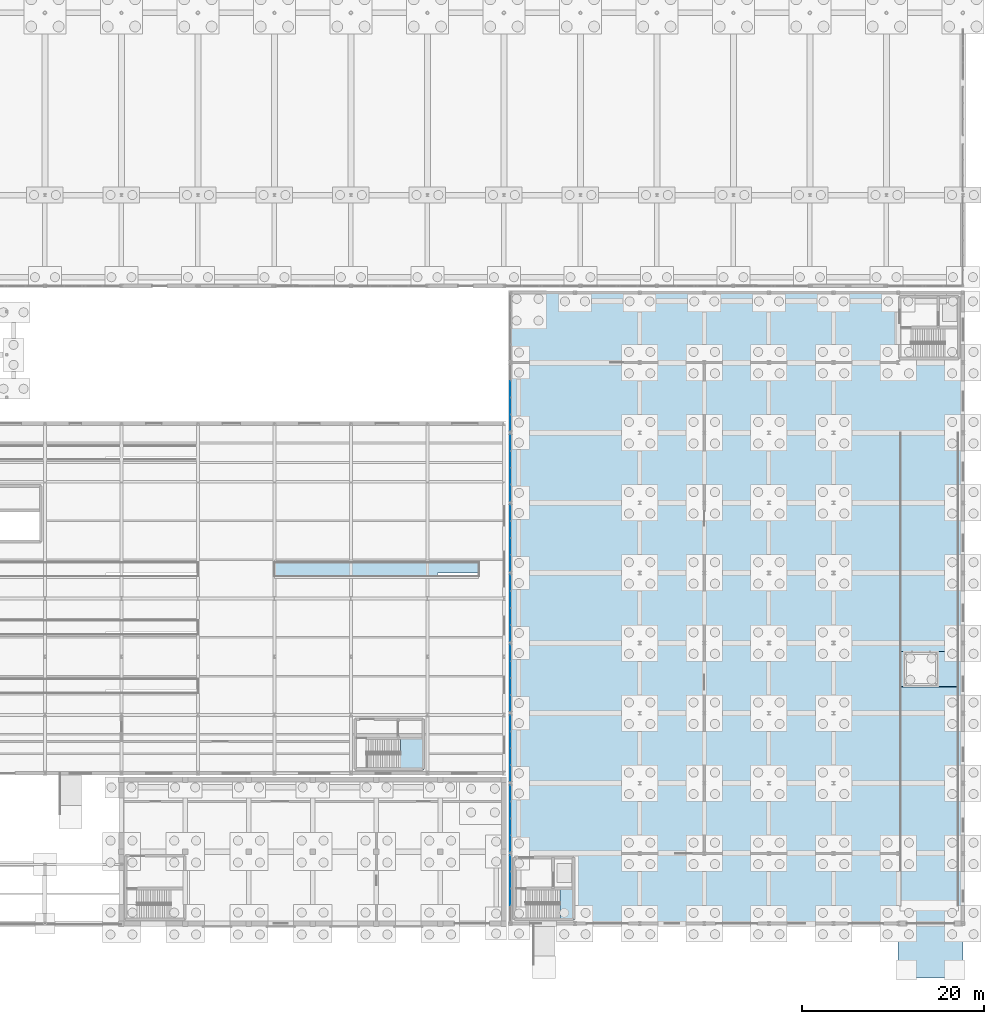
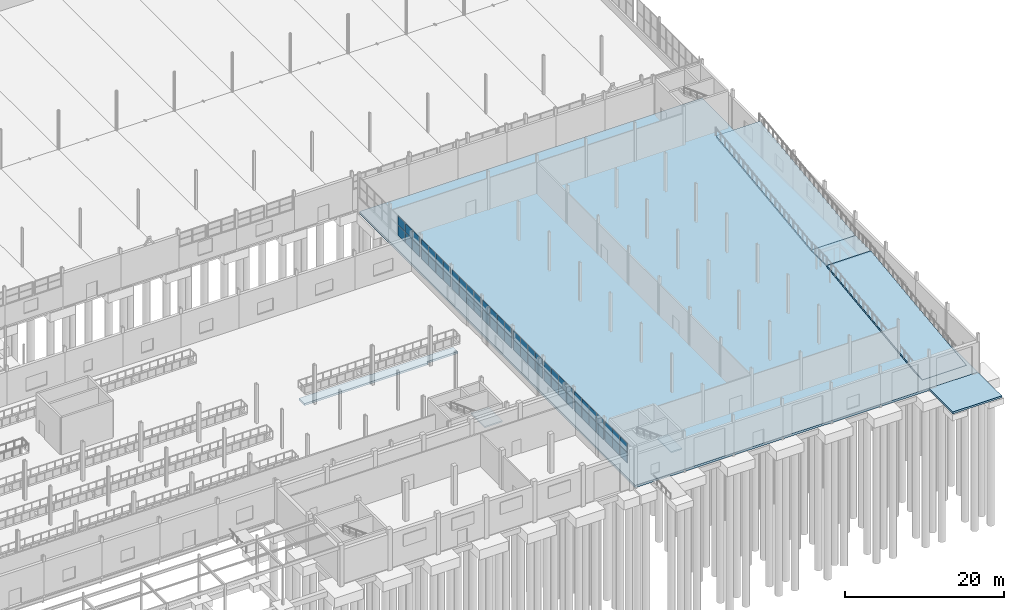
# One storey, part 107 of 139: 60 plates, 8 slabs, 10 elements without a shape of their own.
"""IFC4 building model written with IfcOpenShell, lengths in metres."""

from ifc_helpers import new_model, si_unit, direction, frame, origin, origin_2d, place, context, subcontext, project, spatial, polyline, rectangle, outline, extrude, material, layer, layer_set, type_object, element, aggregate, save


model = new_model("IFC4")

# Units and contexts
model_context = context("Model", 3, precision=1e-05, world=origin(), true_north=direction((0.0, 1.0)))
body_context = subcontext(model_context, "Body", "Model", "MODEL_VIEW")
ifc_project = project(units=[si_unit("LENGTHUNIT", "METRE"), si_unit("AREAUNIT", "SQUARE_METRE"), si_unit("VOLUMEUNIT", "CUBIC_METRE"), si_unit("PLANEANGLEUNIT", "RADIAN"), si_unit("MASSUNIT", "GRAM", prefix="KILO")], contexts=[model_context])

# Site, building, storey
site_placement = place(None, origin())
site = spatial("IfcSite", under=ifc_project, at=site_placement, CompositionType="ELEMENT")
building_placement = place(site_placement, origin())
building = spatial("IfcBuilding", under=site, at=building_placement, Name="Kazenagashi Tramway Depot", CompositionType="ELEMENT")
storey_placement = place(building_placement, origin())
storey = spatial("IfcBuildingStorey", under=building, at=storey_placement, Name="L01", CompositionType="ELEMENT", Elevation=0.0)

# Curtain wall, plates
ifc_material_1 = material(Name="Anodised Aluminium and Low-E Glazing", Category="aluminium")
curtain_wall_type = type_object("IfcCurtainWallType", Name="CW-30", PredefinedType="USERDEFINED", material=ifc_material_1)
curtain_wall_1_placement = place(storey_placement, origin())
curtain_wall_1 = element("IfcCurtainWall", 1, at=curtain_wall_1_placement, inside=storey, type_object=curtain_wall_type, Name="Industrial Glazed Screen CW-30 CW-0161", ObjectType="GLAZED SCREEN", PredefinedType="USERDEFINED")
ifc_material_2 = material(Name="Tempered Laminated Low-E Glass", Category="glass")
ifc_layer_1 = layer(ifc_material_2, 0.016)
ifc_layer_set_1 = layer_set([ifc_layer_1], Name="Tempered Laminated Low-E Glass")
plate_type_1 = type_object("IfcPlateType", Name="GL-01", PredefinedType="CURTAIN_PANEL", material=ifc_layer_set_1)
plate_1_placement = place(storey_placement, frame((146.3, 16.4825, 2.26), z_axis=(0.0, 0.0, 1.0), x_axis=(0.0, 1.0, 0.0)))
plate_1 = element("IfcPlate", 2, at=plate_1_placement, type_object=plate_type_1, Name="CW-30 panel 1.1", PredefinedType="CURTAIN_PANEL", context=body_context, shape_type="SweptSolid", body=[
    extrude(rectangle(XDim=1.765, YDim=0.016, at=origin_2d()), origin(), (0.0, 0.0, 1.0), 1.532),
])
plate_2_placement = place(storey_placement, frame((146.3, 16.4825, 3.852), z_axis=(0.0, 0.0, 1.0), x_axis=(0.0, 1.0, 0.0)))
plate_2 = element("IfcPlate", 3, at=plate_2_placement, type_object=plate_type_1, Name="CW-30 panel 1.2", PredefinedType="CURTAIN_PANEL", context=body_context, shape_type="SweptSolid", body=[
    extrude(rectangle(XDim=1.765, YDim=0.016, at=origin_2d()), origin(), (0.0, 0.0, 1.0), 1.408),
])
plate_3_placement = place(storey_placement, frame((146.3, 18.3225, 2.26), z_axis=(0.0, 0.0, 1.0), x_axis=(0.0, 1.0, 0.0)))
plate_3 = element("IfcPlate", 4, at=plate_3_placement, type_object=plate_type_1, Name="CW-30 panel 2.1", PredefinedType="CURTAIN_PANEL", context=body_context, shape_type="SweptSolid", body=[
    extrude(rectangle(XDim=1.795, YDim=0.016, at=origin_2d()), origin(), (0.0, 0.0, 1.0), 1.532),
])
plate_4_placement = place(storey_placement, frame((146.3, 18.3225, 3.852), z_axis=(0.0, 0.0, 1.0), x_axis=(0.0, 1.0, 0.0)))
plate_4 = element("IfcPlate", 5, at=plate_4_placement, type_object=plate_type_1, Name="CW-30 panel 2.2", PredefinedType="CURTAIN_PANEL", context=body_context, shape_type="SweptSolid", body=[
    extrude(rectangle(XDim=1.795, YDim=0.016, at=origin_2d()), origin(), (0.0, 0.0, 1.0), 1.408),
])
plate_5_placement = place(storey_placement, frame((146.3, 20.1775, 2.26), z_axis=(0.0, 0.0, 1.0), x_axis=(0.0, 1.0, 0.0)))
plate_5 = element("IfcPlate", 6, at=plate_5_placement, type_object=plate_type_1, Name="CW-30 panel 3.1", PredefinedType="CURTAIN_PANEL", context=body_context, shape_type="SweptSolid", body=[
    extrude(rectangle(XDim=1.795, YDim=0.016, at=origin_2d()), origin(), (0.0, 0.0, 1.0), 1.532),
])
plate_6_placement = place(storey_placement, frame((146.3, 20.1775, 3.852), z_axis=(0.0, 0.0, 1.0), x_axis=(0.0, 1.0, 0.0)))
plate_6 = element("IfcPlate", 7, at=plate_6_placement, type_object=plate_type_1, Name="CW-30 panel 3.2", PredefinedType="CURTAIN_PANEL", context=body_context, shape_type="SweptSolid", body=[
    extrude(rectangle(XDim=1.795, YDim=0.016, at=origin_2d()), origin(), (0.0, 0.0, 1.0), 1.408),
])
plate_7_placement = place(storey_placement, frame((146.3, 22.0175, 2.26), z_axis=(0.0, 0.0, 1.0), x_axis=(0.0, 1.0, 0.0)))
plate_7 = element("IfcPlate", 8, at=plate_7_placement, type_object=plate_type_1, Name="CW-30 panel 4.1", PredefinedType="CURTAIN_PANEL", context=body_context, shape_type="SweptSolid", body=[
    extrude(rectangle(XDim=1.765, YDim=0.016, at=origin_2d()), origin(), (0.0, 0.0, 1.0), 1.532),
])
plate_8_placement = place(storey_placement, frame((146.3, 22.0175, 3.852), z_axis=(0.0, 0.0, 1.0), x_axis=(0.0, 1.0, 0.0)))
plate_8 = element("IfcPlate", 9, at=plate_8_placement, type_object=plate_type_1, Name="CW-30 panel 4.2", PredefinedType="CURTAIN_PANEL", context=body_context, shape_type="SweptSolid", body=[
    extrude(rectangle(XDim=1.765, YDim=0.016, at=origin_2d()), origin(), (0.0, 0.0, 1.0), 1.408),
])
aggregate(curtain_wall_1, [plate_1, plate_2, plate_3, plate_4, plate_5, plate_6, plate_7, plate_8])

curtain_wall_2_placement = place(storey_placement, origin())
curtain_wall_2 = element("IfcCurtainWall", 10, at=curtain_wall_2_placement, inside=storey, type_object=curtain_wall_type, Name="Industrial Glazed Screen CW-30 CW-0162", ObjectType="GLAZED SCREEN", PredefinedType="USERDEFINED")
ifc_layer_2 = layer(ifc_material_2, 0.018)
ifc_layer_set_2 = layer_set([ifc_layer_2], Name="Tempered Laminated Low-E Glass")
plate_type_2 = type_object("IfcPlateType", Name="GL-02", PredefinedType="CURTAIN_PANEL", material=ifc_layer_set_2)
plate_9_placement = place(storey_placement, frame((146.3, 24.1825, 2.26), z_axis=(0.0, 0.0, 1.0), x_axis=(0.0, 1.0, 0.0)))
plate_9 = element("IfcPlate", 11, at=plate_9_placement, type_object=plate_type_2, Name="CW-30 panel 1.1", PredefinedType="CURTAIN_PANEL", context=body_context, shape_type="SweptSolid", body=[
    extrude(rectangle(XDim=1.765, YDim=0.018, at=origin_2d()), origin(), (0.0, 0.0, 1.0), 1.532),
])
plate_10_placement = place(storey_placement, frame((146.3, 24.1825, 3.852), z_axis=(0.0, 0.0, 1.0), x_axis=(0.0, 1.0, 0.0)))
plate_10 = element("IfcPlate", 12, at=plate_10_placement, type_object=plate_type_2, Name="CW-30 panel 1.2", PredefinedType="CURTAIN_PANEL", context=body_context, shape_type="SweptSolid", body=[
    extrude(rectangle(XDim=1.765, YDim=0.018, at=origin_2d()), origin(), (0.0, 0.0, 1.0), 1.408),
])
plate_11_placement = place(storey_placement, frame((146.3, 26.0225, 2.26), z_axis=(0.0, 0.0, 1.0), x_axis=(0.0, 1.0, 0.0)))
plate_11 = element("IfcPlate", 13, at=plate_11_placement, type_object=plate_type_2, Name="CW-30 panel 2.1", PredefinedType="CURTAIN_PANEL", context=body_context, shape_type="SweptSolid", body=[
    extrude(rectangle(XDim=1.795, YDim=0.018, at=origin_2d()), origin(), (0.0, 0.0, 1.0), 1.532),
])
plate_12_placement = place(storey_placement, frame((146.3, 26.0225, 3.852), z_axis=(0.0, 0.0, 1.0), x_axis=(0.0, 1.0, 0.0)))
plate_12 = element("IfcPlate", 14, at=plate_12_placement, type_object=plate_type_2, Name="CW-30 panel 2.2", PredefinedType="CURTAIN_PANEL", context=body_context, shape_type="SweptSolid", body=[
    extrude(rectangle(XDim=1.795, YDim=0.018, at=origin_2d()), origin(), (0.0, 0.0, 1.0), 1.408),
])
plate_13_placement = place(storey_placement, frame((146.3, 27.8775, 2.26), z_axis=(0.0, 0.0, 1.0), x_axis=(0.0, 1.0, 0.0)))
plate_13 = element("IfcPlate", 15, at=plate_13_placement, type_object=plate_type_2, Name="CW-30 panel 3.1", PredefinedType="CURTAIN_PANEL", context=body_context, shape_type="SweptSolid", body=[
    extrude(rectangle(XDim=1.795, YDim=0.018, at=origin_2d()), origin(), (0.0, 0.0, 1.0), 1.532),
])
plate_14_placement = place(storey_placement, frame((146.3, 27.8775, 3.852), z_axis=(0.0, 0.0, 1.0), x_axis=(0.0, 1.0, 0.0)))
plate_14 = element("IfcPlate", 16, at=plate_14_placement, type_object=plate_type_2, Name="CW-30 panel 3.2", PredefinedType="CURTAIN_PANEL", context=body_context, shape_type="SweptSolid", body=[
    extrude(rectangle(XDim=1.795, YDim=0.018, at=origin_2d()), origin(), (0.0, 0.0, 1.0), 1.408),
])
plate_15_placement = place(storey_placement, frame((146.3, 29.7175, 2.26), z_axis=(0.0, 0.0, 1.0), x_axis=(0.0, 1.0, 0.0)))
plate_15 = element("IfcPlate", 17, at=plate_15_placement, type_object=plate_type_2, Name="CW-30 panel 4.1", PredefinedType="CURTAIN_PANEL", context=body_context, shape_type="SweptSolid", body=[
    extrude(rectangle(XDim=1.765, YDim=0.018, at=origin_2d()), origin(), (0.0, 0.0, 1.0), 1.532),
])
plate_16_placement = place(storey_placement, frame((146.3, 29.7175, 3.852), z_axis=(0.0, 0.0, 1.0), x_axis=(0.0, 1.0, 0.0)))
plate_16 = element("IfcPlate", 18, at=plate_16_placement, type_object=plate_type_2, Name="CW-30 panel 4.2", PredefinedType="CURTAIN_PANEL", context=body_context, shape_type="SweptSolid", body=[
    extrude(rectangle(XDim=1.765, YDim=0.018, at=origin_2d()), origin(), (0.0, 0.0, 1.0), 1.408),
])
aggregate(curtain_wall_2, [plate_9, plate_10, plate_11, plate_12, plate_13, plate_14, plate_15, plate_16])

curtain_wall_3_placement = place(storey_placement, origin())
curtain_wall_3 = element("IfcCurtainWall", 19, at=curtain_wall_3_placement, inside=storey, type_object=curtain_wall_type, Name="Industrial Glazed Screen CW-30 CW-0164", ObjectType="GLAZED SCREEN", PredefinedType="USERDEFINED")
ifc_layer_3 = layer(ifc_material_2, 0.022)
ifc_layer_set_3 = layer_set([ifc_layer_3], Name="Tempered Laminated Low-E Glass")
plate_type_3 = type_object("IfcPlateType", Name="GL-04", PredefinedType="CURTAIN_PANEL", material=ifc_layer_set_3)
plate_17_placement = place(storey_placement, frame((146.3, 31.8825, 2.26), z_axis=(0.0, 0.0, 1.0), x_axis=(0.0, 1.0, 0.0)))
plate_17 = element("IfcPlate", 20, at=plate_17_placement, type_object=plate_type_3, Name="CW-30 panel 1.1", PredefinedType="CURTAIN_PANEL", context=body_context, shape_type="SweptSolid", body=[
    extrude(rectangle(XDim=1.765, YDim=0.022, at=origin_2d()), origin(), (0.0, 0.0, 1.0), 1.532),
])
plate_18_placement = place(storey_placement, frame((146.3, 31.8825, 3.852), z_axis=(0.0, 0.0, 1.0), x_axis=(0.0, 1.0, 0.0)))
plate_18 = element("IfcPlate", 21, at=plate_18_placement, type_object=plate_type_3, Name="CW-30 panel 1.2", PredefinedType="CURTAIN_PANEL", context=body_context, shape_type="SweptSolid", body=[
    extrude(rectangle(XDim=1.765, YDim=0.022, at=origin_2d()), origin(), (0.0, 0.0, 1.0), 1.408),
])
plate_19_placement = place(storey_placement, frame((146.3, 33.7225, 2.26), z_axis=(0.0, 0.0, 1.0), x_axis=(0.0, 1.0, 0.0)))
plate_19 = element("IfcPlate", 22, at=plate_19_placement, type_object=plate_type_3, Name="CW-30 panel 2.1", PredefinedType="CURTAIN_PANEL", context=body_context, shape_type="SweptSolid", body=[
    extrude(rectangle(XDim=1.795, YDim=0.022, at=origin_2d()), origin(), (0.0, 0.0, 1.0), 1.532),
])
plate_20_placement = place(storey_placement, frame((146.3, 33.7225, 3.852), z_axis=(0.0, 0.0, 1.0), x_axis=(0.0, 1.0, 0.0)))
plate_20 = element("IfcPlate", 23, at=plate_20_placement, type_object=plate_type_3, Name="CW-30 panel 2.2", PredefinedType="CURTAIN_PANEL", context=body_context, shape_type="SweptSolid", body=[
    extrude(rectangle(XDim=1.795, YDim=0.022, at=origin_2d()), origin(), (0.0, 0.0, 1.0), 1.408),
])
plate_21_placement = place(storey_placement, frame((146.3, 35.5775, 2.26), z_axis=(0.0, 0.0, 1.0), x_axis=(0.0, 1.0, 0.0)))
plate_21 = element("IfcPlate", 24, at=plate_21_placement, type_object=plate_type_3, Name="CW-30 panel 3.1", PredefinedType="CURTAIN_PANEL", context=body_context, shape_type="SweptSolid", body=[
    extrude(rectangle(XDim=1.795, YDim=0.022, at=origin_2d()), origin(), (0.0, 0.0, 1.0), 1.532),
])
plate_22_placement = place(storey_placement, frame((146.3, 35.5775, 3.852), z_axis=(0.0, 0.0, 1.0), x_axis=(0.0, 1.0, 0.0)))
plate_22 = element("IfcPlate", 25, at=plate_22_placement, type_object=plate_type_3, Name="CW-30 panel 3.2", PredefinedType="CURTAIN_PANEL", context=body_context, shape_type="SweptSolid", body=[
    extrude(rectangle(XDim=1.795, YDim=0.022, at=origin_2d()), origin(), (0.0, 0.0, 1.0), 1.408),
])
plate_23_placement = place(storey_placement, frame((146.3, 37.4175, 2.26), z_axis=(0.0, 0.0, 1.0), x_axis=(0.0, 1.0, 0.0)))
plate_23 = element("IfcPlate", 26, at=plate_23_placement, type_object=plate_type_3, Name="CW-30 panel 4.1", PredefinedType="CURTAIN_PANEL", context=body_context, shape_type="SweptSolid", body=[
    extrude(rectangle(XDim=1.765, YDim=0.022, at=origin_2d()), origin(), (0.0, 0.0, 1.0), 1.532),
])
plate_24_placement = place(storey_placement, frame((146.3, 37.4175, 3.852), z_axis=(0.0, 0.0, 1.0), x_axis=(0.0, 1.0, 0.0)))
plate_24 = element("IfcPlate", 27, at=plate_24_placement, type_object=plate_type_3, Name="CW-30 panel 4.2", PredefinedType="CURTAIN_PANEL", context=body_context, shape_type="SweptSolid", body=[
    extrude(rectangle(XDim=1.765, YDim=0.022, at=origin_2d()), origin(), (0.0, 0.0, 1.0), 1.408),
])
aggregate(curtain_wall_3, [plate_17, plate_18, plate_19, plate_20, plate_21, plate_22, plate_23, plate_24])

curtain_wall_4_placement = place(storey_placement, origin())
curtain_wall_4 = element("IfcCurtainWall", 28, at=curtain_wall_4_placement, inside=storey, type_object=curtain_wall_type, Name="Industrial Glazed Screen CW-30 CW-0166", ObjectType="GLAZED SCREEN", PredefinedType="USERDEFINED")
ifc_layer_4 = layer(ifc_material_2, 0.026)
ifc_layer_set_4 = layer_set([ifc_layer_4], Name="Tempered Laminated Low-E Glass")
plate_type_4 = type_object("IfcPlateType", Name="GL-06", PredefinedType="CURTAIN_PANEL", material=ifc_layer_set_4)
plate_25_placement = place(storey_placement, frame((146.3, 39.5825, 2.26), z_axis=(0.0, 0.0, 1.0), x_axis=(0.0, 1.0, 0.0)))
plate_25 = element("IfcPlate", 29, at=plate_25_placement, type_object=plate_type_4, Name="CW-30 panel 1.1", PredefinedType="CURTAIN_PANEL", context=body_context, shape_type="SweptSolid", body=[
    extrude(rectangle(XDim=1.765, YDim=0.026, at=origin_2d()), origin(), (0.0, 0.0, 1.0), 1.532),
])
plate_26_placement = place(storey_placement, frame((146.3, 39.5825, 3.852), z_axis=(0.0, 0.0, 1.0), x_axis=(0.0, 1.0, 0.0)))
plate_26 = element("IfcPlate", 30, at=plate_26_placement, type_object=plate_type_4, Name="CW-30 panel 1.2", PredefinedType="CURTAIN_PANEL", context=body_context, shape_type="SweptSolid", body=[
    extrude(rectangle(XDim=1.765, YDim=0.026, at=origin_2d()), origin(), (0.0, 0.0, 1.0), 1.408),
])
plate_27_placement = place(storey_placement, frame((146.3, 41.4225, 2.26), z_axis=(0.0, 0.0, 1.0), x_axis=(0.0, 1.0, 0.0)))
plate_27 = element("IfcPlate", 31, at=plate_27_placement, type_object=plate_type_4, Name="CW-30 panel 2.1", PredefinedType="CURTAIN_PANEL", context=body_context, shape_type="SweptSolid", body=[
    extrude(rectangle(XDim=1.795, YDim=0.026, at=origin_2d()), origin(), (0.0, 0.0, 1.0), 1.532),
])
plate_28_placement = place(storey_placement, frame((146.3, 41.4225, 3.852), z_axis=(0.0, 0.0, 1.0), x_axis=(0.0, 1.0, 0.0)))
plate_28 = element("IfcPlate", 32, at=plate_28_placement, type_object=plate_type_4, Name="CW-30 panel 2.2", PredefinedType="CURTAIN_PANEL", context=body_context, shape_type="SweptSolid", body=[
    extrude(rectangle(XDim=1.795, YDim=0.026, at=origin_2d()), origin(), (0.0, 0.0, 1.0), 1.408),
])
plate_29_placement = place(storey_placement, frame((146.3, 43.2775, 2.26), z_axis=(0.0, 0.0, 1.0), x_axis=(0.0, 1.0, 0.0)))
plate_29 = element("IfcPlate", 33, at=plate_29_placement, type_object=plate_type_4, Name="CW-30 panel 3.1", PredefinedType="CURTAIN_PANEL", context=body_context, shape_type="SweptSolid", body=[
    extrude(rectangle(XDim=1.795, YDim=0.026, at=origin_2d()), origin(), (0.0, 0.0, 1.0), 1.532),
])
plate_30_placement = place(storey_placement, frame((146.3, 43.2775, 3.852), z_axis=(0.0, 0.0, 1.0), x_axis=(0.0, 1.0, 0.0)))
plate_30 = element("IfcPlate", 34, at=plate_30_placement, type_object=plate_type_4, Name="CW-30 panel 3.2", PredefinedType="CURTAIN_PANEL", context=body_context, shape_type="SweptSolid", body=[
    extrude(rectangle(XDim=1.795, YDim=0.026, at=origin_2d()), origin(), (0.0, 0.0, 1.0), 1.408),
])
plate_31_placement = place(storey_placement, frame((146.3, 45.1175, 2.26), z_axis=(0.0, 0.0, 1.0), x_axis=(0.0, 1.0, 0.0)))
plate_31 = element("IfcPlate", 35, at=plate_31_placement, type_object=plate_type_4, Name="CW-30 panel 4.1", PredefinedType="CURTAIN_PANEL", context=body_context, shape_type="SweptSolid", body=[
    extrude(rectangle(XDim=1.765, YDim=0.026, at=origin_2d()), origin(), (0.0, 0.0, 1.0), 1.532),
])
plate_32_placement = place(storey_placement, frame((146.3, 45.1175, 3.852), z_axis=(0.0, 0.0, 1.0), x_axis=(0.0, 1.0, 0.0)))
plate_32 = element("IfcPlate", 36, at=plate_32_placement, type_object=plate_type_4, Name="CW-30 panel 4.2", PredefinedType="CURTAIN_PANEL", context=body_context, shape_type="SweptSolid", body=[
    extrude(rectangle(XDim=1.765, YDim=0.026, at=origin_2d()), origin(), (0.0, 0.0, 1.0), 1.408),
])
aggregate(curtain_wall_4, [plate_25, plate_26, plate_27, plate_28, plate_29, plate_30, plate_31, plate_32])

curtain_wall_5_placement = place(storey_placement, origin())
curtain_wall_5 = element("IfcCurtainWall", 37, at=curtain_wall_5_placement, inside=storey, type_object=curtain_wall_type, Name="Industrial Glazed Screen CW-30 CW-0168", ObjectType="GLAZED SCREEN", PredefinedType="USERDEFINED")
ifc_layer_5 = layer(ifc_material_2, 0.03)
ifc_layer_set_5 = layer_set([ifc_layer_5], Name="Tempered Laminated Low-E Glass")
plate_type_5 = type_object("IfcPlateType", Name="GL-08", PredefinedType="CURTAIN_PANEL", material=ifc_layer_set_5)
plate_33_placement = place(storey_placement, frame((146.3, 47.2825, 2.26), z_axis=(0.0, 0.0, 1.0), x_axis=(0.0, 1.0, 0.0)))
plate_33 = element("IfcPlate", 38, at=plate_33_placement, type_object=plate_type_5, Name="CW-30 panel 1.1", PredefinedType="CURTAIN_PANEL", context=body_context, shape_type="SweptSolid", body=[
    extrude(rectangle(XDim=1.765, YDim=0.03, at=origin_2d()), origin(), (0.0, 0.0, 1.0), 1.532),
])
plate_34_placement = place(storey_placement, frame((146.3, 47.2825, 3.852), z_axis=(0.0, 0.0, 1.0), x_axis=(0.0, 1.0, 0.0)))
plate_34 = element("IfcPlate", 39, at=plate_34_placement, type_object=plate_type_5, Name="CW-30 panel 1.2", PredefinedType="CURTAIN_PANEL", context=body_context, shape_type="SweptSolid", body=[
    extrude(rectangle(XDim=1.765, YDim=0.03, at=origin_2d()), origin(), (0.0, 0.0, 1.0), 1.408),
])
plate_35_placement = place(storey_placement, frame((146.3, 49.1225, 2.26), z_axis=(0.0, 0.0, 1.0), x_axis=(0.0, 1.0, 0.0)))
plate_35 = element("IfcPlate", 40, at=plate_35_placement, type_object=plate_type_5, Name="CW-30 panel 2.1", PredefinedType="CURTAIN_PANEL", context=body_context, shape_type="SweptSolid", body=[
    extrude(rectangle(XDim=1.795, YDim=0.03, at=origin_2d()), origin(), (0.0, 0.0, 1.0), 1.532),
])
plate_36_placement = place(storey_placement, frame((146.3, 49.1225, 3.852), z_axis=(0.0, 0.0, 1.0), x_axis=(0.0, 1.0, 0.0)))
plate_36 = element("IfcPlate", 41, at=plate_36_placement, type_object=plate_type_5, Name="CW-30 panel 2.2", PredefinedType="CURTAIN_PANEL", context=body_context, shape_type="SweptSolid", body=[
    extrude(rectangle(XDim=1.795, YDim=0.03, at=origin_2d()), origin(), (0.0, 0.0, 1.0), 1.408),
])
plate_37_placement = place(storey_placement, frame((146.3, 50.9775, 2.26), z_axis=(0.0, 0.0, 1.0), x_axis=(0.0, 1.0, 0.0)))
plate_37 = element("IfcPlate", 42, at=plate_37_placement, type_object=plate_type_5, Name="CW-30 panel 3.1", PredefinedType="CURTAIN_PANEL", context=body_context, shape_type="SweptSolid", body=[
    extrude(rectangle(XDim=1.795, YDim=0.03, at=origin_2d()), origin(), (0.0, 0.0, 1.0), 1.532),
])
plate_38_placement = place(storey_placement, frame((146.3, 50.9775, 3.852), z_axis=(0.0, 0.0, 1.0), x_axis=(0.0, 1.0, 0.0)))
plate_38 = element("IfcPlate", 43, at=plate_38_placement, type_object=plate_type_5, Name="CW-30 panel 3.2", PredefinedType="CURTAIN_PANEL", context=body_context, shape_type="SweptSolid", body=[
    extrude(rectangle(XDim=1.795, YDim=0.03, at=origin_2d()), origin(), (0.0, 0.0, 1.0), 1.408),
])
plate_39_placement = place(storey_placement, frame((146.3, 52.8175, 2.26), z_axis=(0.0, 0.0, 1.0), x_axis=(0.0, 1.0, 0.0)))
plate_39 = element("IfcPlate", 44, at=plate_39_placement, type_object=plate_type_5, Name="CW-30 panel 4.1", PredefinedType="CURTAIN_PANEL", context=body_context, shape_type="SweptSolid", body=[
    extrude(rectangle(XDim=1.765, YDim=0.03, at=origin_2d()), origin(), (0.0, 0.0, 1.0), 1.532),
])
plate_40_placement = place(storey_placement, frame((146.3, 52.8175, 3.852), z_axis=(0.0, 0.0, 1.0), x_axis=(0.0, 1.0, 0.0)))
plate_40 = element("IfcPlate", 45, at=plate_40_placement, type_object=plate_type_5, Name="CW-30 panel 4.2", PredefinedType="CURTAIN_PANEL", context=body_context, shape_type="SweptSolid", body=[
    extrude(rectangle(XDim=1.765, YDim=0.03, at=origin_2d()), origin(), (0.0, 0.0, 1.0), 1.408),
])
aggregate(curtain_wall_5, [plate_33, plate_34, plate_35, plate_36, plate_37, plate_38, plate_39, plate_40])

curtain_wall_6_placement = place(storey_placement, origin())
curtain_wall_6 = element("IfcCurtainWall", 46, at=curtain_wall_6_placement, inside=storey, type_object=curtain_wall_type, Name="Industrial Glazed Screen CW-30 CW-0170", ObjectType="GLAZED SCREEN", PredefinedType="USERDEFINED")
ifc_layer_6 = layer(ifc_material_2, 0.034)
ifc_layer_set_6 = layer_set([ifc_layer_6], Name="Tempered Laminated Low-E Glass")
plate_type_6 = type_object("IfcPlateType", Name="GL-10", PredefinedType="CURTAIN_PANEL", material=ifc_layer_set_6)
plate_41_placement = place(storey_placement, frame((146.3, 54.9825, 2.26), z_axis=(0.0, 0.0, 1.0), x_axis=(0.0, 1.0, 0.0)))
plate_41 = element("IfcPlate", 47, at=plate_41_placement, type_object=plate_type_6, Name="CW-30 panel 1.1", PredefinedType="CURTAIN_PANEL", context=body_context, shape_type="SweptSolid", body=[
    extrude(rectangle(XDim=1.765, YDim=0.034, at=origin_2d()), origin(), (0.0, 0.0, 1.0), 1.532),
])
plate_42_placement = place(storey_placement, frame((146.3, 54.9825, 3.852), z_axis=(0.0, 0.0, 1.0), x_axis=(0.0, 1.0, 0.0)))
plate_42 = element("IfcPlate", 48, at=plate_42_placement, type_object=plate_type_6, Name="CW-30 panel 1.2", PredefinedType="CURTAIN_PANEL", context=body_context, shape_type="SweptSolid", body=[
    extrude(rectangle(XDim=1.765, YDim=0.034, at=origin_2d()), origin(), (0.0, 0.0, 1.0), 1.408),
])
plate_43_placement = place(storey_placement, frame((146.3, 56.8225, 2.26), z_axis=(0.0, 0.0, 1.0), x_axis=(0.0, 1.0, 0.0)))
plate_43 = element("IfcPlate", 49, at=plate_43_placement, type_object=plate_type_6, Name="CW-30 panel 2.1", PredefinedType="CURTAIN_PANEL", context=body_context, shape_type="SweptSolid", body=[
    extrude(rectangle(XDim=1.795, YDim=0.034, at=origin_2d()), origin(), (0.0, 0.0, 1.0), 1.532),
])
plate_44_placement = place(storey_placement, frame((146.3, 56.8225, 3.852), z_axis=(0.0, 0.0, 1.0), x_axis=(0.0, 1.0, 0.0)))
plate_44 = element("IfcPlate", 50, at=plate_44_placement, type_object=plate_type_6, Name="CW-30 panel 2.2", PredefinedType="CURTAIN_PANEL", context=body_context, shape_type="SweptSolid", body=[
    extrude(rectangle(XDim=1.795, YDim=0.034, at=origin_2d()), origin(), (0.0, 0.0, 1.0), 1.408),
])
plate_45_placement = place(storey_placement, frame((146.3, 58.6775, 2.26), z_axis=(0.0, 0.0, 1.0), x_axis=(0.0, 1.0, 0.0)))
plate_45 = element("IfcPlate", 51, at=plate_45_placement, type_object=plate_type_6, Name="CW-30 panel 3.1", PredefinedType="CURTAIN_PANEL", context=body_context, shape_type="SweptSolid", body=[
    extrude(rectangle(XDim=1.795, YDim=0.034, at=origin_2d()), origin(), (0.0, 0.0, 1.0), 1.532),
])
plate_46_placement = place(storey_placement, frame((146.3, 58.6775, 3.852), z_axis=(0.0, 0.0, 1.0), x_axis=(0.0, 1.0, 0.0)))
plate_46 = element("IfcPlate", 52, at=plate_46_placement, type_object=plate_type_6, Name="CW-30 panel 3.2", PredefinedType="CURTAIN_PANEL", context=body_context, shape_type="SweptSolid", body=[
    extrude(rectangle(XDim=1.795, YDim=0.034, at=origin_2d()), origin(), (0.0, 0.0, 1.0), 1.408),
])
aggregate(curtain_wall_6, [plate_41, plate_42, plate_43, plate_44, plate_45, plate_46])

curtain_wall_7_placement = place(storey_placement, origin())
curtain_wall_7 = element("IfcCurtainWall", 53, at=curtain_wall_7_placement, inside=storey, type_object=curtain_wall_type, Name="Industrial Glazed Screen CW-30 CW-0157", ObjectType="GLAZED SCREEN", PredefinedType="USERDEFINED")
ifc_layer_7 = layer(ifc_material_2, 0.04)
ifc_layer_set_7 = layer_set([ifc_layer_7], Name="Tempered Laminated Low-E Glass")
plate_type_7 = type_object("IfcPlateType", Name="GL-13", PredefinedType="CURTAIN_PANEL", material=ifc_layer_set_7)
plate_47_placement = place(storey_placement, frame((146.3, 2.9225, 2.26), z_axis=(0.0, 0.0, 1.0), x_axis=(0.0, 1.0, 0.0)))
plate_47 = element("IfcPlate", 54, at=plate_47_placement, type_object=plate_type_7, Name="CW-30 panel 2.1", PredefinedType="CURTAIN_PANEL", context=body_context, shape_type="SweptSolid", body=[
    extrude(rectangle(XDim=1.795, YDim=0.04, at=origin_2d()), origin(), (0.0, 0.0, 1.0), 1.532),
])
plate_48_placement = place(storey_placement, frame((146.3, 2.9225, 3.852), z_axis=(0.0, 0.0, 1.0), x_axis=(0.0, 1.0, 0.0)))
plate_48 = element("IfcPlate", 55, at=plate_48_placement, type_object=plate_type_7, Name="CW-30 panel 2.2", PredefinedType="CURTAIN_PANEL", context=body_context, shape_type="SweptSolid", body=[
    extrude(rectangle(XDim=1.795, YDim=0.04, at=origin_2d()), origin(), (0.0, 0.0, 1.0), 1.408),
])
plate_49_placement = place(storey_placement, frame((146.3, 4.7775, 2.26), z_axis=(0.0, 0.0, 1.0), x_axis=(0.0, 1.0, 0.0)))
plate_49 = element("IfcPlate", 56, at=plate_49_placement, type_object=plate_type_7, Name="CW-30 panel 3.1", PredefinedType="CURTAIN_PANEL", context=body_context, shape_type="SweptSolid", body=[
    extrude(rectangle(XDim=1.795, YDim=0.04, at=origin_2d()), origin(), (0.0, 0.0, 1.0), 1.532),
])
plate_50_placement = place(storey_placement, frame((146.3, 4.7775, 3.852), z_axis=(0.0, 0.0, 1.0), x_axis=(0.0, 1.0, 0.0)))
plate_50 = element("IfcPlate", 57, at=plate_50_placement, type_object=plate_type_7, Name="CW-30 panel 3.2", PredefinedType="CURTAIN_PANEL", context=body_context, shape_type="SweptSolid", body=[
    extrude(rectangle(XDim=1.795, YDim=0.04, at=origin_2d()), origin(), (0.0, 0.0, 1.0), 1.408),
])
plate_51_placement = place(storey_placement, frame((146.3, 6.6175, 2.26), z_axis=(0.0, 0.0, 1.0), x_axis=(0.0, 1.0, 0.0)))
plate_51 = element("IfcPlate", 58, at=plate_51_placement, type_object=plate_type_7, Name="CW-30 panel 4.1", PredefinedType="CURTAIN_PANEL", context=body_context, shape_type="SweptSolid", body=[
    extrude(rectangle(XDim=1.765, YDim=0.04, at=origin_2d()), origin(), (0.0, 0.0, 1.0), 1.532),
])
plate_52_placement = place(storey_placement, frame((146.3, 6.6175, 3.852), z_axis=(0.0, 0.0, 1.0), x_axis=(0.0, 1.0, 0.0)))
plate_52 = element("IfcPlate", 59, at=plate_52_placement, type_object=plate_type_7, Name="CW-30 panel 4.2", PredefinedType="CURTAIN_PANEL", context=body_context, shape_type="SweptSolid", body=[
    extrude(rectangle(XDim=1.765, YDim=0.04, at=origin_2d()), origin(), (0.0, 0.0, 1.0), 1.408),
])
aggregate(curtain_wall_7, [plate_47, plate_48, plate_49, plate_50, plate_51, plate_52])

curtain_wall_8_placement = place(storey_placement, origin())
curtain_wall_8 = element("IfcCurtainWall", 60, at=curtain_wall_8_placement, inside=storey, type_object=curtain_wall_type, Name="Industrial Glazed Screen CW-30 CW-0159", ObjectType="GLAZED SCREEN", PredefinedType="USERDEFINED")
ifc_layer_8 = layer(ifc_material_2, 0.044)
ifc_layer_set_8 = layer_set([ifc_layer_8], Name="Tempered Laminated Low-E Glass")
plate_type_8 = type_object("IfcPlateType", Name="GL-15", PredefinedType="CURTAIN_PANEL", material=ifc_layer_set_8)
plate_53_placement = place(storey_placement, frame((146.3, 8.7825, 2.26), z_axis=(0.0, 0.0, 1.0), x_axis=(0.0, 1.0, 0.0)))
plate_53 = element("IfcPlate", 61, at=plate_53_placement, type_object=plate_type_8, Name="CW-30 panel 1.1", PredefinedType="CURTAIN_PANEL", context=body_context, shape_type="SweptSolid", body=[
    extrude(rectangle(XDim=1.765, YDim=0.044, at=origin_2d()), origin(), (0.0, 0.0, 1.0), 1.532),
])
plate_54_placement = place(storey_placement, frame((146.3, 8.7825, 3.852), z_axis=(0.0, 0.0, 1.0), x_axis=(0.0, 1.0, 0.0)))
plate_54 = element("IfcPlate", 62, at=plate_54_placement, type_object=plate_type_8, Name="CW-30 panel 1.2", PredefinedType="CURTAIN_PANEL", context=body_context, shape_type="SweptSolid", body=[
    extrude(rectangle(XDim=1.765, YDim=0.044, at=origin_2d()), origin(), (0.0, 0.0, 1.0), 1.408),
])
plate_55_placement = place(storey_placement, frame((146.3, 10.6225, 2.26), z_axis=(0.0, 0.0, 1.0), x_axis=(0.0, 1.0, 0.0)))
plate_55 = element("IfcPlate", 63, at=plate_55_placement, type_object=plate_type_8, Name="CW-30 panel 2.1", PredefinedType="CURTAIN_PANEL", context=body_context, shape_type="SweptSolid", body=[
    extrude(rectangle(XDim=1.795, YDim=0.044, at=origin_2d()), origin(), (0.0, 0.0, 1.0), 1.532),
])
plate_56_placement = place(storey_placement, frame((146.3, 10.6225, 3.852), z_axis=(0.0, 0.0, 1.0), x_axis=(0.0, 1.0, 0.0)))
plate_56 = element("IfcPlate", 64, at=plate_56_placement, type_object=plate_type_8, Name="CW-30 panel 2.2", PredefinedType="CURTAIN_PANEL", context=body_context, shape_type="SweptSolid", body=[
    extrude(rectangle(XDim=1.795, YDim=0.044, at=origin_2d()), origin(), (0.0, 0.0, 1.0), 1.408),
])
plate_57_placement = place(storey_placement, frame((146.3, 12.4775, 2.26), z_axis=(0.0, 0.0, 1.0), x_axis=(0.0, 1.0, 0.0)))
plate_57 = element("IfcPlate", 65, at=plate_57_placement, type_object=plate_type_8, Name="CW-30 panel 3.1", PredefinedType="CURTAIN_PANEL", context=body_context, shape_type="SweptSolid", body=[
    extrude(rectangle(XDim=1.795, YDim=0.044, at=origin_2d()), origin(), (0.0, 0.0, 1.0), 1.532),
])
plate_58_placement = place(storey_placement, frame((146.3, 12.4775, 3.852), z_axis=(0.0, 0.0, 1.0), x_axis=(0.0, 1.0, 0.0)))
plate_58 = element("IfcPlate", 66, at=plate_58_placement, type_object=plate_type_8, Name="CW-30 panel 3.2", PredefinedType="CURTAIN_PANEL", context=body_context, shape_type="SweptSolid", body=[
    extrude(rectangle(XDim=1.795, YDim=0.044, at=origin_2d()), origin(), (0.0, 0.0, 1.0), 1.408),
])
plate_59_placement = place(storey_placement, frame((146.3, 14.3175, 2.26), z_axis=(0.0, 0.0, 1.0), x_axis=(0.0, 1.0, 0.0)))
plate_59 = element("IfcPlate", 67, at=plate_59_placement, type_object=plate_type_8, Name="CW-30 panel 4.1", PredefinedType="CURTAIN_PANEL", context=body_context, shape_type="SweptSolid", body=[
    extrude(rectangle(XDim=1.765, YDim=0.044, at=origin_2d()), origin(), (0.0, 0.0, 1.0), 1.532),
])
plate_60_placement = place(storey_placement, frame((146.3, 14.3175, 3.852), z_axis=(0.0, 0.0, 1.0), x_axis=(0.0, 1.0, 0.0)))
plate_60 = element("IfcPlate", 68, at=plate_60_placement, type_object=plate_type_8, Name="CW-30 panel 4.2", PredefinedType="CURTAIN_PANEL", context=body_context, shape_type="SweptSolid", body=[
    extrude(rectangle(XDim=1.765, YDim=0.044, at=origin_2d()), origin(), (0.0, 0.0, 1.0), 1.408),
])
aggregate(curtain_wall_8, [plate_53, plate_54, plate_55, plate_56, plate_57, plate_58, plate_59, plate_60])

# Slabs
ifc_material_3 = material(Name="Concrete Fc36", Category="concrete")
ifc_layer_9 = layer(ifc_material_3, 0.35)
ifc_layer_set_9 = layer_set([ifc_layer_9], Name="Concrete Fc36")
slab_type_1 = type_object("IfcSlabType", Name="SL-01", PredefinedType="BASESLAB", material=ifc_layer_set_9)
slab_1_placement = place(storey_placement, frame((0.0, 0.0, -0.35)))
element("IfcSlab", 69, at=slab_1_placement, inside=storey, type_object=slab_type_1, Name="Wash and Bus Loop Ground Slab SLAB-052", PredefinedType="BASESLAB", context=body_context, shape_type="SweptSolid", body=[
    extrude(outline(polyline([(146.3, 0.0), (196.0, 0.0), (196.0, 69.3), (146.3, 69.3), (146.3, 0.0)]), holes=[polyline([(189.095, 1.995), (195.505, 1.995), (195.505, 4.3), (189.095, 4.3), (189.095, 1.995)])]), origin(), (0.0, 0.0, 1.0), 0.35),
])
ifc_layer_10 = layer(ifc_material_3, 0.3)
ifc_layer_set_10 = layer_set([ifc_layer_10], Name="Concrete Fc36")
slab_type_2 = type_object("IfcSlabType", Name="SL-03", PredefinedType="BASESLAB", material=ifc_layer_set_10)
slab_2_placement = place(storey_placement, frame((0.0, 0.0, -1.85)))
element("IfcSlab", 70, at=slab_2_placement, inside=storey, type_object=slab_type_2, Name="Tram Periodic Inspection Pit 6 Invert Slab SLAB-051", PredefinedType="BASESLAB", context=body_context, shape_type="SweptSolid", body=[
    extrude(outline(polyline([(120.4, 38.2), (138.32, 38.2), (138.32, 38.48), (142.8, 38.48), (142.8, 39.6), (120.4, 39.6), (120.4, 38.2)])), origin(), (0.0, 0.0, 1.0), 0.3),
])
ifc_layer_11 = layer(ifc_material_3, 0.29)
ifc_layer_set_11 = layer_set([ifc_layer_11], Name="Concrete Fc36")
slab_type_3 = type_object("IfcSlabType", Name="SL-AP1", PredefinedType="BASESLAB", material=ifc_layer_set_11)
slab_3_placement = place(storey_placement, frame((0.0, 0.0, -0.29)))
element("IfcSlab", 71, at=slab_3_placement, inside=storey, type_object=slab_type_3, Name="EV Bus Ramp Exterior Grade Apron SLAB-053", PredefinedType="BASESLAB", context=body_context, shape_type="SweptSolid", body=[
    extrude(outline(polyline([(188.9, -6.0), (196.0, -6.0), (196.0, 0.0), (188.9, 0.0), (188.9, -6.0)])), origin(), (0.0, 0.0, 1.0), 0.29),
])

# Stair, slab
stair_type = type_object("IfcStairType", Name="ST-T5", PredefinedType="USERDEFINED", material=ifc_material_3)
stair_1_placement = place(storey_placement, origin())
stair_1 = element("IfcStair", 72, at=stair_1_placement, inside=storey, type_object=stair_type, Name="Enclosed Escape Stair ST-20", ObjectType="TWO_RETURN_STAIR", PredefinedType="USERDEFINED")
ifc_layer_12 = layer(ifc_material_3, 0.195)
ifc_layer_set_12 = layer_set([ifc_layer_12], Name="Concrete Fc36")
slab_type_4 = type_object("IfcSlabType", Name="SL-LD1", PredefinedType="LANDING", material=ifc_layer_set_12)
slab_4_placement = place(storey_placement, frame((0.0, 0.0, 2.805)))
slab_4 = element("IfcSlab", 73, at=slab_4_placement, type_object=slab_type_4, Name="ST-20 landing 1", PredefinedType="LANDING", context=body_context, shape_type="SweptSolid", body=[
    extrude(outline(polyline([(134.26, 16.91), (136.84, 16.91), (136.84, 20.4), (134.26, 20.4), (134.26, 16.91)])), origin(), (0.0, 0.0, 1.0), 0.195),
])
aggregate(stair_1, [slab_4])

stair_2_placement = place(storey_placement, origin())
stair_2 = element("IfcStair", 74, at=stair_2_placement, inside=storey, type_object=stair_type, Name="Enclosed Escape Stair ST-23", ObjectType="TWO_RETURN_STAIR", PredefinedType="USERDEFINED")
slab_5_placement = place(storey_placement, frame((0.0, 0.0, 2.805)))
slab_5 = element("IfcSlab", 75, at=slab_5_placement, type_object=slab_type_4, Name="ST-23 landing 1", PredefinedType="LANDING", context=body_context, shape_type="SweptSolid", body=[
    extrude(outline(polyline([(151.76, 0.41), (153.34, 0.41), (153.34, 3.9), (151.76, 3.9), (151.76, 0.41)])), origin(), (0.0, 0.0, 1.0), 0.195),
])
aggregate(stair_2, [slab_5])

# Slabs
ifc_layer_13 = layer(ifc_material_3, 0.23)
ifc_layer_set_13 = layer_set([ifc_layer_13], Name="Concrete Fc36")
slab_type_5 = type_object("IfcSlabType", Name="SL-LD2", PredefinedType="LANDING", material=ifc_layer_set_13)
slab_6_placement = place(storey_placement, frame((0.0, 0.0, 2.77)))
element("IfcSlab", 76, at=slab_6_placement, inside=storey, type_object=slab_type_5, Name="Vehicle ramp R1 mid landing", PredefinedType="LANDING", context=body_context, shape_type="SweptSolid", body=[
    extrude(outline(polyline([(189.1, 26.04), (195.5, 26.04), (195.5, 29.895), (189.1, 29.895), (189.1, 26.04)])), origin(), (0.0, 0.0, 1.0), 0.23),
])
ifc_layer_14 = layer(ifc_material_3, 0.275)
ifc_layer_set_14 = layer_set([ifc_layer_14], Name="Concrete Fc36")
slab_type_6 = type_object("IfcSlabType", Name="SL-VR1", PredefinedType="FLOOR", material=ifc_layer_set_14)
slab_7_placement = place(storey_placement, frame((189.1, 2.0, 0.0), z_axis=(0.0, -0.124034734589, 0.992277876714), x_axis=(1.0, 0.0, 0.0)))
element("IfcSlab", 77, at=slab_7_placement, inside=storey, type_object=slab_type_6, Name="Vehicle ramp R1 lower structural slab", PredefinedType="FLOOR", context=body_context, shape_type="SweptSolid", body=[
    extrude(outline(polyline([(0.0, 0.0), (6.400000000000006, 0.0), (6.400000000000006, 24.186773244895647), (0.0, 24.186773244895647), (0.0, 0.0)])), origin(), (0.0, 0.0, -1.0), 0.275),
])
slab_8_placement = place(storey_placement, frame((189.1, 29.9, 3.0), z_axis=(0.0, -0.124238610717, 0.992252370925), x_axis=(1.0, 0.0, 0.0)))
element("IfcSlab", 78, at=slab_8_placement, inside=storey, type_object=slab_type_6, Name="Vehicle ramp R1 upper structural slab", PredefinedType="FLOOR", context=body_context, shape_type="SweptSolid", body=[
    extrude(outline(polyline([(0.0, 0.0), (6.400000000000006, 0.0), (6.400000000000006, 24.147082639523973), (0.0, 24.147082639523973), (0.0, 0.0)])), origin(), (0.0, 0.0, -1.0), 0.275),
])

save(model, "model.ifc")
